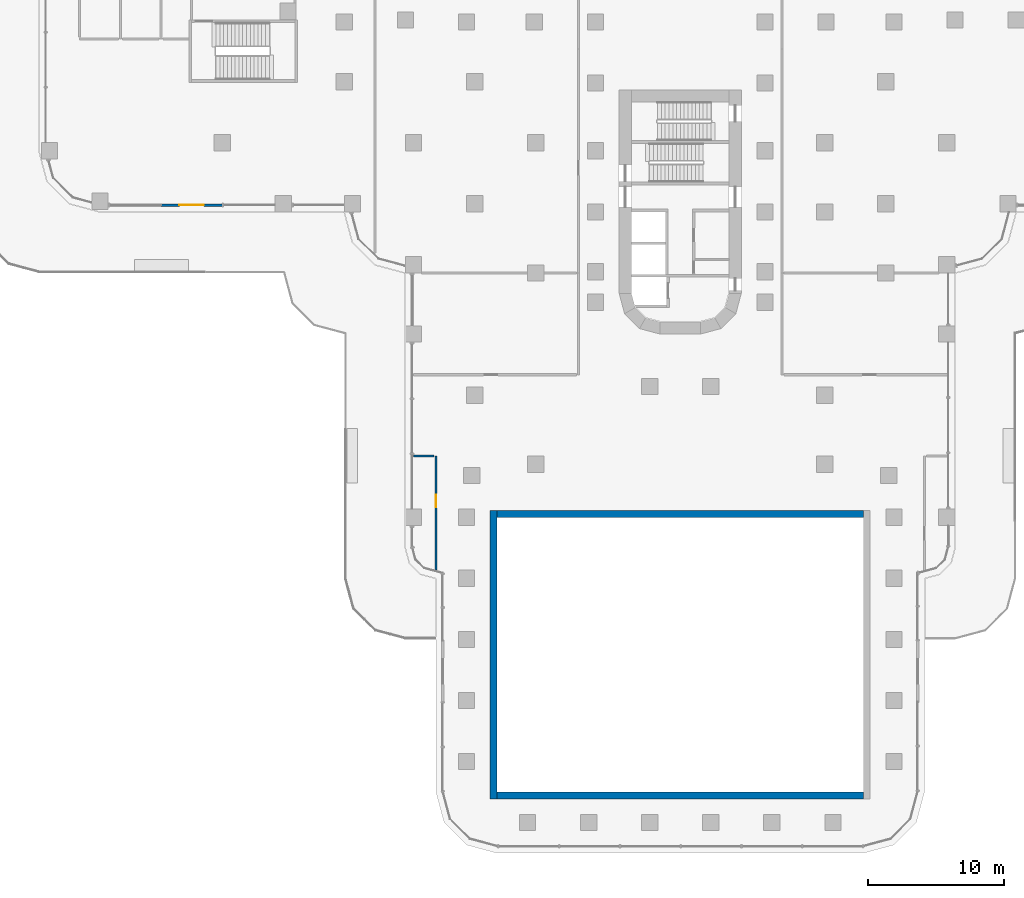
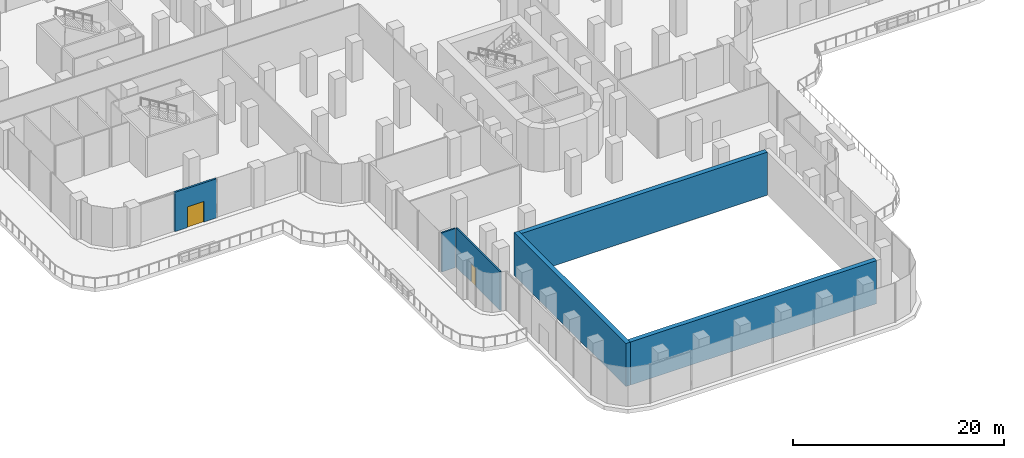
# One storey, part 17 of 29: 6 walls, 2 doors, 2 openings.
"""IFC4 building model written with IfcOpenShell, lengths in metres."""

from ifc_helpers import new_model, si_unit, direction, frame, frame_2d, origin, place, context, subcontext, project, spatial, rectangle, extrude, material, layer, layer_set, type_object, element, fill, save


model = new_model("IFC4")

# Units and contexts
model_context = context("Model", 3, precision=1e-05, world=origin(), true_north=direction((0.0, 1.0)))
body_context = subcontext(model_context, "Body", "Model", "MODEL_VIEW")
ifc_project = project(units=[si_unit("LENGTHUNIT", "METRE"), si_unit("AREAUNIT", "SQUARE_METRE"), si_unit("VOLUMEUNIT", "CUBIC_METRE"), si_unit("PLANEANGLEUNIT", "RADIAN"), si_unit("MASSUNIT", "GRAM", prefix="KILO")], contexts=[model_context])

# Site, building, storey
site_placement = place(None, origin())
site = spatial("IfcSite", under=ifc_project, at=site_placement, CompositionType="ELEMENT")
building_placement = place(site_placement, origin())
building = spatial("IfcBuilding", under=site, at=building_placement, Name="Zarbagh Exchange Tower", CompositionType="ELEMENT")
storey_placement = place(building_placement, frame((0.0, 0.0, 12.0)))
storey = spatial("IfcBuildingStorey", under=building, at=storey_placement, Name="L02", CompositionType="ELEMENT", Elevation=12.0)

# Wall, opening, door
ifc_material_1 = material(Name="Plasterboard partition")
ifc_layer_1 = layer(ifc_material_1, 0.14990234375)
ifc_layer_set_1 = layer_set([ifc_layer_1], Name="Board partition 150")
wall_type_1 = type_object("IfcWallType", Name="Board partition 150", PredefinedType="PARTITIONING", material=ifc_layer_set_1)
wall_1_placement = place(storey_placement, frame((-18.0, -46.6298828125, 0.0), z_axis=(0.0, 0.0, 1.0), x_axis=(0.0, 1.0, 0.0)))
wall_1 = element("IfcWall", 1, at=wall_1_placement, inside=storey, type_object=wall_type_1, Name="WL-L02-W017", PredefinedType="PARTITIONING", context=body_context, shape_type="SweptSolid", body=[
    extrude(rectangle(XDim=8.3798828125, YDim=0.14990234375, at=frame_2d((4.18994140625, 0.0))), origin(), (0.0, 0.0, 1.0), 4.550048828125),
])
opening_1_placement = place(wall_1_placement, frame((4.6298828125, 0.0, 0.0)))
opening_1 = element("IfcOpeningElement", 2, at=opening_1_placement, cuts=wall_1, Name="Opening D28", PredefinedType="OPENING", context=body_context, shape_type="SweptSolid", body=[
    extrude(rectangle(XDim=0.89990234375, YDim=2.10009765625, at=frame_2d((0.449951171875, 1.050048828125))), frame((0.0, 0.0849609375, 0.0), z_axis=(0.0, -1.0, 0.0), x_axis=(1.0, 0.0, 0.0)), (0.0, 0.0, 1.0), 0.169921875),
])
ifc_material_2 = material(Name="Timber door leaf", Category="wood")
door_type_1 = type_object("IfcDoorType", Name="Door single 900x2100", OperationType="SINGLE_SWING_LEFT", PredefinedType="DOOR", material=ifc_material_2)
door_1_placement = place(opening_1_placement, origin())
door_1 = element("IfcDoor", 3, at=door_1_placement, inside=storey, type_object=door_type_1, Name="D01", OperationType="SINGLE_SWING_LEFT", OverallHeight=2.10009765625, OverallWidth=0.89990234375, PredefinedType="DOOR", context=body_context, shape_type="SweptSolid", body=[
    extrude(rectangle(XDim=0.89990234375, YDim=2.10009765625, at=frame_2d((0.449951171875, 1.050048828125))), frame((0.0, 0.02490234375, 0.0), z_axis=(0.0, -1.0, 0.0), x_axis=(1.0, 0.0, 0.0)), (0.0, 0.0, 1.0), 0.050048828125),
])
fill(opening_1, door_1)

# Walls
wall_2_placement = place(storey_placement, frame((-19.64990234375, -38.25, 0.0), z_axis=(0.0, 0.0, 1.0), x_axis=(1.0, 0.0, 0.0)))
element("IfcWall", 4, at=wall_2_placement, inside=storey, type_object=wall_type_1, Name="WL-L02-W019", PredefinedType="PARTITIONING", context=body_context, shape_type="SweptSolid", body=[
    extrude(rectangle(XDim=1.5, YDim=0.14990234375, at=frame_2d((0.75, 0.0))), origin(), (0.0, 0.0, 1.0), 4.550048828125),
])
ifc_material_3 = material(Name="Concrete C50/60", Category="concrete")
ifc_layer_2 = layer(ifc_material_3, 0.5)
ifc_layer_set_2 = layer_set([ifc_layer_2], Name="RC hall wall 500 C50/60")
wall_type_2 = type_object("IfcWallType", Name="RC hall wall 500 C50/60", PredefinedType="SOLIDWALL", material=ifc_layer_set_2)
wall_3_placement = place(storey_placement, frame((-13.75, -63.5, 0.0), z_axis=(0.0, 0.0, 1.0), x_axis=(0.0, 1.0, 0.0)))
element("IfcWall", 5, at=wall_3_placement, inside=storey, type_object=wall_type_2, Name="CW11 hall", PredefinedType="SOLIDWALL", context=body_context, shape_type="SweptSolid", body=[
    extrude(rectangle(XDim=21.25, YDim=0.5, at=frame_2d((10.625, 0.0))), origin(), (0.0, 0.0, 1.0), 5.0),
])
for number, where, z_axis, x_axis, name in (
    (6, (-13.5, -63.25, 0.0), (0.0, 0.0, 1.0), (1.0, 0.0, 0.0), "CW11 hall"),
    (7, (-13.5, -42.5, 0.0), (0.0, 0.0, 1.0), (1.0, 0.0, 0.0), "CW11 hall"),
):
    element("IfcWall", number, at=place(storey_placement, frame(where, z_axis=z_axis, x_axis=x_axis)), inside=storey, type_object=wall_type_2, Name=name, PredefinedType="SOLIDWALL", context=body_context, shape_type="SweptSolid", body=[
        extrude(rectangle(XDim=27.0, YDim=0.5, at=frame_2d((13.5, 0.0))), origin(), (0.0, 0.0, 1.0), 5.0),
    ])

# Wall, opening, door
ifc_material_4 = material(Name="Precast concrete C50/60", Category="concrete")
ifc_layer_3 = layer(ifc_material_4, 0.199951171875)
ifc_layer_set_3 = layer_set([ifc_layer_3], Name="Terrace door wall, precast concrete C50/60")
wall_type_3 = type_object("IfcWallType", Name="Terrace door wall, precast concrete C50/60", PredefinedType="SOLIDWALL", material=ifc_layer_set_3)
wall_4_placement = place(storey_placement, frame((-38.2900390625, -19.75, 0.0), z_axis=(0.0, 0.0, 1.0), x_axis=(1.0, 0.0, 0.0)))
wall_4 = element("IfcWall", 8, at=wall_4_placement, inside=storey, type_object=wall_type_3, Name="TW16 door wall", PredefinedType="SOLIDWALL", context=body_context, shape_type="SweptSolid", body=[
    extrude(rectangle(XDim=4.580078125, YDim=0.199951171875, at=frame_2d((2.2900390625, 0.0))), origin(), (0.0, 0.0, 1.0), 4.550048828125),
])
opening_2_placement = place(wall_4_placement, frame((1.389892578125, 0.0, 0.0)))
opening_2 = element("IfcOpeningElement", 9, at=opening_2_placement, cuts=wall_4, Name="Opening TD03", PredefinedType="OPENING", context=body_context, shape_type="SweptSolid", body=[
    extrude(rectangle(XDim=1.800048828125, YDim=2.39990234375, at=frame_2d((0.89990234375, 1.199951171875))), frame((0.0, 0.10986328125, 0.0), z_axis=(0.0, -1.0, 0.0), x_axis=(1.0, 0.0, 0.0)), (0.0, 0.0, 1.0), 0.219970703125),
])
ifc_material_5 = material(Name="Anodised aluminium and glass", Category="aluminium")
door_type_2 = type_object("IfcDoorType", Name="Terrace door, double leaf, aluminium and glass", OperationType="DOUBLE_DOOR_DOUBLE_SWING", PredefinedType="DOOR", material=ifc_material_5)
door_2_placement = place(opening_2_placement, origin())
door_2 = element("IfcDoor", 10, at=door_2_placement, inside=storey, type_object=door_type_2, Name="TD03 terrace door", OperationType="SINGLE_SWING_LEFT", OverallHeight=2.39990234375, OverallWidth=1.800048828125, PredefinedType="DOOR", context=body_context, shape_type="SweptSolid", body=[
    extrude(rectangle(XDim=1.800048828125, YDim=2.39990234375, at=frame_2d((0.89990234375, 1.199951171875))), frame((0.0, 0.02490234375, 0.0), z_axis=(0.0, -1.0, 0.0), x_axis=(1.0, 0.0, 0.0)), (0.0, 0.0, 1.0), 0.050048828125),
])
fill(opening_2, door_2)

save(model, "model.ifc")
